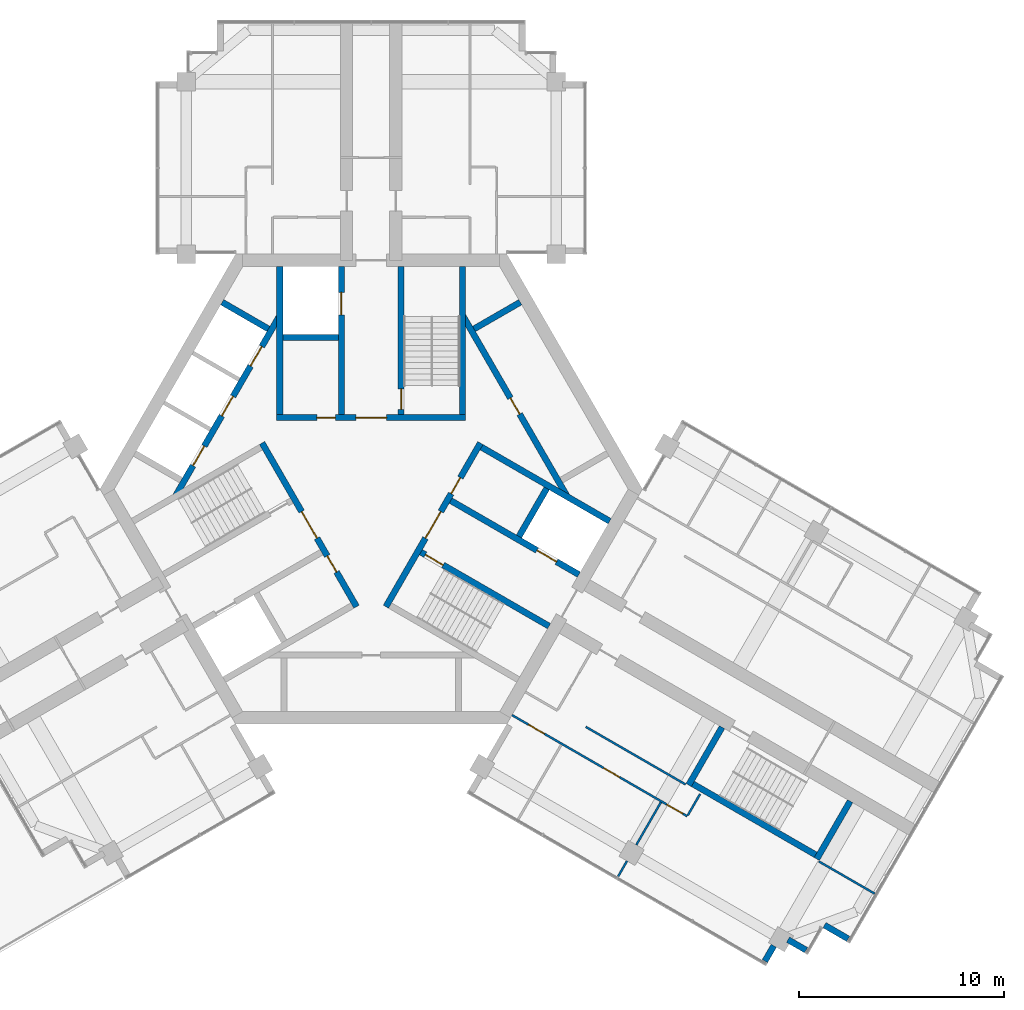
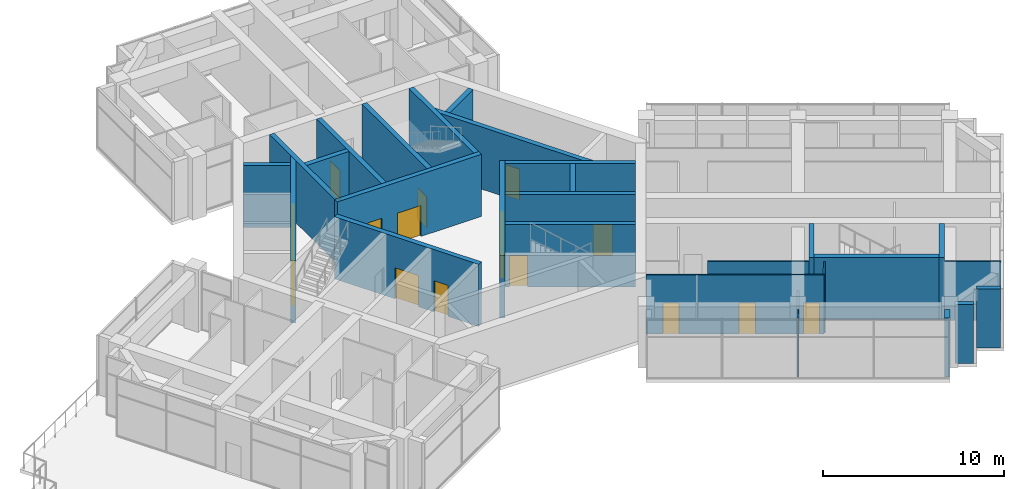
# One storey, part 10 of 13: 28 walls, 17 doors, 17 openings.
"""IFC4 building model written with IfcOpenShell, lengths in metres."""

from ifc_helpers import new_model, si_unit, direction, frame, frame_2d, origin, place, context, subcontext, project, spatial, rectangle, extrude, material, layer, layer_set, type_object, element, fill, save


model = new_model("IFC4")

# Units and contexts
model_context = context("Model", 3, precision=1e-05, world=origin(), true_north=direction((0.0, 1.0)))
body_context = subcontext(model_context, "Body", "Model", "MODEL_VIEW")
ifc_project = project(units=[si_unit("LENGTHUNIT", "METRE"), si_unit("AREAUNIT", "SQUARE_METRE"), si_unit("VOLUMEUNIT", "CUBIC_METRE"), si_unit("PLANEANGLEUNIT", "RADIAN"), si_unit("MASSUNIT", "GRAM", prefix="KILO")], contexts=[model_context])

# Site, building, storey
site_placement = place(None, origin())
site = spatial("IfcSite", under=ifc_project, at=site_placement, CompositionType="ELEMENT")
building_placement = place(site_placement, origin())
building = spatial("IfcBuilding", under=site, at=building_placement, Name="Impinga Residences", CompositionType="ELEMENT")
storey_placement = place(building_placement, frame((0.0, 0.0, 283.14990234375)))
storey = spatial("IfcBuildingStorey", under=building, at=storey_placement, Name="L71", CompositionType="ELEMENT", Elevation=283.14990234375)

# Walls
ifc_material_1 = material(Name="Stone facing on blockwork", Category="masonry")
ifc_layer_1 = layer(ifc_material_1, 0.300048828125)
ifc_layer_set_1 = layer_set([ifc_layer_1], Name="EW2 external wall, stone facing on blockwork 300")
wall_type_1 = type_object("IfcWallType", Name="EW2 external wall, stone facing on blockwork 300", PredefinedType="SOLIDWALL", material=ifc_layer_set_1)
wall_1_placement = place(storey_placement, frame((23.212158203125, -21.888671875, 0.0), z_axis=(0.0, 0.0, 1.0), x_axis=(-0.866020521143, 0.500008456887, 0.0)))
element("IfcWall", 1, at=wall_1_placement, inside=storey, type_object=wall_type_1, Name="External wall EW2 L71", PredefinedType="SOLIDWALL", context=body_context, shape_type="SweptSolid", body=[
    extrude(rectangle(XDim=1.330078125, YDim=0.300048828125, at=frame_2d((0.6650390625, 0.0))), origin(), (0.0, 0.0, 1.0), 3.97998046875),
])
wall_2_placement = place(storey_placement, frame((21.1630859375, -22.4375, 0.0), z_axis=(0.0, 0.0, 1.0), x_axis=(-0.866133525259, 0.499812681335, 0.0)))
element("IfcWall", 2, at=wall_2_placement, inside=storey, type_object=wall_type_1, Name="External wall EW2 L71", PredefinedType="SOLIDWALL", context=body_context, shape_type="SweptSolid", body=[
    extrude(rectangle(XDim=1.01513671875, YDim=0.300048828125, at=frame_2d((0.507568359375, 0.0))), origin(), (0.0, 0.0, 1.0), 3.97998046875),
])
wall_3_placement = place(storey_placement, frame((19.5927734375, -22.227294921875, 0.0), z_axis=(0.0, 0.0, 1.0), x_axis=(-0.499885902046, -0.866091268248, 0.0)))
element("IfcWall", 3, at=wall_3_placement, inside=storey, type_object=wall_type_1, Name="External wall EW2 L71", PredefinedType="SOLIDWALL", context=body_context, shape_type="SweptSolid", body=[
    extrude(rectangle(XDim=0.862060546875, YDim=0.300048828125, at=frame_2d((0.43115234375, 0.0))), origin(), (0.0, 0.0, 1.0), 3.97998046875),
])
ifc_material_2 = material(Name="Gypsum board on steel studs", Category="steel")
ifc_layer_2 = layer(ifc_material_2, 0.10009765625)
ifc_layer_set_2 = layer_set([ifc_layer_2], Name="Gypsum board on steel studs")
wall_type_2 = type_object("IfcWallType", Name="IP1 partition 100", PredefinedType="PARTITIONING", material=ifc_layer_set_2)
wall_4_placement = place(storey_placement, frame((10.444580078125, -11.57275390625, 0.0), z_axis=(0.0, 0.0, 1.0), x_axis=(0.866015695474, -0.500016814911, 0.0)))
element("IfcWall", 4, at=wall_4_placement, inside=storey, type_object=wall_type_2, Name="Partition L71-EF1:DIV1", PredefinedType="PARTITIONING", context=body_context, shape_type="SweptSolid", body=[
    extrude(rectangle(XDim=5.599853515625, YDim=0.10009765625, at=frame_2d((2.7998046875, 0.0))), origin(), (0.0, 0.0, 1.0), 3.97998046875),
])
wall_5_placement = place(storey_placement, frame((21.789306640625, -18.122802734375, 0.0), z_axis=(0.0, 0.0, 1.0), x_axis=(0.8660508054, -0.499956000529, 0.0)))
element("IfcWall", 5, at=wall_5_placement, inside=storey, type_object=wall_type_2, Name="Partition L71-EF1:DIV2", PredefinedType="PARTITIONING", context=body_context, shape_type="SweptSolid", body=[
    extrude(rectangle(XDim=3.136962890625, YDim=0.10009765625, at=frame_2d((1.568359375, 0.0))), origin(), (0.0, 0.0, 1.0), 3.97998046875),
])

# Wall, openings, doors
wall_6_placement = place(storey_placement, frame((6.85009765625, -10.99853515625, 0.0), z_axis=(0.0, 0.0, 1.0), x_axis=(0.866021308241, -0.500007093622, 0.0)))
wall_6 = element("IfcWall", 6, at=wall_6_placement, inside=storey, type_object=wall_type_2, Name="Partition L71-EF1:STRIP", PredefinedType="PARTITIONING", context=body_context, shape_type="SweptSolid", body=[
    extrude(rectangle(XDim=9.849853515625, YDim=0.10009765625, at=frame_2d((4.9248046875, 0.0))), origin(), (0.0, 0.0, 1.0), 3.97998046875),
])
opening_1_placement = place(wall_6_placement, frame((0.925048828125, 0.0, 0.0)))
opening_1 = element("IfcOpeningElement", 7, at=opening_1_placement, cuts=wall_6, Name="Opening D2", PredefinedType="OPENING", context=body_context, shape_type="SweptSolid", body=[
    extrude(rectangle(XDim=0.89990234375, YDim=2.10009765625, at=frame_2d((0.449951171875, 1.050048828125))), frame((0.0, 0.06005859375, 0.0), z_axis=(0.0, -1.0, 0.0), x_axis=(1.0, 0.0, 0.0)), (0.0, 0.0, 1.0), 0.1201171875),
])
opening_2_placement = place(wall_6_placement, frame((5.14990234375, 0.0, 0.0)))
opening_2 = element("IfcOpeningElement", 8, at=opening_2_placement, cuts=wall_6, Name="Opening D2", PredefinedType="OPENING", context=body_context, shape_type="SweptSolid", body=[
    extrude(rectangle(XDim=0.89990234375, YDim=2.10009765625, at=frame_2d((0.449951171875, 1.050048828125))), frame((0.0, 0.06005859375, 0.0), z_axis=(0.0, -1.0, 0.0), x_axis=(1.0, 0.0, 0.0)), (0.0, 0.0, 1.0), 0.1201171875),
])
opening_3_placement = place(wall_6_placement, frame((8.699951171875, 0.0, 0.0)))
opening_3 = element("IfcOpeningElement", 9, at=opening_3_placement, cuts=wall_6, Name="Opening D2", PredefinedType="OPENING", context=body_context, shape_type="SweptSolid", body=[
    extrude(rectangle(XDim=0.89990234375, YDim=2.10009765625, at=frame_2d((0.449951171875, 1.050048828125))), frame((0.0, 0.06005859375, 0.0), z_axis=(0.0, -1.0, 0.0), x_axis=(1.0, 0.0, 0.0)), (0.0, 0.0, 1.0), 0.1201171875),
])
ifc_material_3 = material(Name="Timber door set", Category="wood")
door_type_1 = type_object("IfcDoorType", Name="D2 internal door 900x2100", OperationType="SINGLE_SWING_LEFT", PredefinedType="DOOR", material=ifc_material_3)
door_1_placement = place(opening_1_placement, origin())
door_1 = element("IfcDoor", 10, at=door_1_placement, inside=storey, type_object=door_type_1, Name="Apartment L71-EF1 room door", OperationType="SINGLE_SWING_LEFT", OverallHeight=2.10009765625, OverallWidth=0.89990234375, PredefinedType="DOOR", context=body_context, shape_type="SweptSolid", body=[
    extrude(rectangle(XDim=0.89990234375, YDim=2.10009765625, at=frame_2d((0.449951171875, 1.050048828125))), frame((0.0, 0.02490234375, 0.0), z_axis=(0.0, -1.0, 0.0), x_axis=(1.0, 0.0, 0.0)), (0.0, 0.0, 1.0), 0.050048828125),
])
fill(opening_1, door_1)
door_2_placement = place(opening_2_placement, origin())
door_2 = element("IfcDoor", 11, at=door_2_placement, inside=storey, type_object=door_type_1, Name="Apartment L71-EF1 room door", OperationType="SINGLE_SWING_RIGHT", OverallHeight=2.10009765625, OverallWidth=0.89990234375, PredefinedType="DOOR", context=body_context, shape_type="SweptSolid", body=[
    extrude(rectangle(XDim=0.89990234375, YDim=2.10009765625, at=frame_2d((0.449951171875, 1.050048828125))), frame((0.0, 0.02490234375, 0.0), z_axis=(0.0, -1.0, 0.0), x_axis=(1.0, 0.0, 0.0)), (0.0, 0.0, 1.0), 0.050048828125),
])
fill(opening_2, door_2)
door_3_placement = place(opening_3_placement, origin())
door_3 = element("IfcDoor", 12, at=door_3_placement, inside=storey, type_object=door_type_1, Name="Apartment L71-EF1 room door", OperationType="SINGLE_SWING_RIGHT", OverallHeight=2.10009765625, OverallWidth=0.89990234375, PredefinedType="DOOR", context=body_context, shape_type="SweptSolid", body=[
    extrude(rectangle(XDim=0.89990234375, YDim=2.10009765625, at=frame_2d((0.449951171875, 1.050048828125))), frame((0.0, 0.02490234375, 0.0), z_axis=(0.0, -1.0, 0.0), x_axis=(1.0, 0.0, 0.0)), (0.0, 0.0, 1.0), 0.050048828125),
])
fill(opening_3, door_3)

# Walls
wall_7_placement = place(storey_placement, frame((16.00537109375, -14.841064453125, 0.0), z_axis=(0.0, 0.0, 1.0), x_axis=(-0.50012165622, -0.865955154139, 0.0)))
element("IfcWall", 13, at=wall_7_placement, inside=storey, type_object=wall_type_2, Name="Partition L71-EF1:SE1", PredefinedType="PARTITIONING", context=body_context, shape_type="SweptSolid", body=[
    extrude(rectangle(XDim=1.199951171875, YDim=0.10009765625, at=frame_2d((0.60009765625, 0.0))), origin(), (0.0, 0.0, 1.0), 3.97998046875),
])
wall_8_placement = place(storey_placement, frame((14.099609375, -15.241943359375, 0.0), z_axis=(0.0, 0.0, 1.0), x_axis=(-0.500001309137, -0.866024647952, 0.0)))
element("IfcWall", 14, at=wall_8_placement, inside=storey, type_object=wall_type_2, Name="Partition L71-EF1:OB2", PredefinedType="PARTITIONING", context=body_context, shape_type="SweptSolid", body=[
    extrude(rectangle(XDim=2.39990234375, YDim=0.10009765625, at=frame_2d((1.199951171875, 0.0))), origin(), (0.0, 0.0, 1.0), 2.93017578125),
])
wall_9_placement = place(storey_placement, frame((12.44970703125, -18.099609375, 0.0), z_axis=(0.0, 0.0, 1.0), x_axis=(-0.500014901547, -0.866016800201, 0.0)))
element("IfcWall", 15, at=wall_9_placement, inside=storey, type_object=wall_type_2, Name="Partition L71-EF1:OB2b", PredefinedType="PARTITIONING", context=body_context, shape_type="SweptSolid", body=[
    extrude(rectangle(XDim=0.8671875, YDim=0.10009765625, at=frame_2d((0.43359375, 0.0))), origin(), (0.0, 0.0, 1.0), 3.97998046875),
])
ifc_material_4 = material(Name="Concrete C60/75", Category="concrete")
ifc_layer_3 = layer(ifc_material_4, 0.300048828125)
ifc_layer_set_3 = layer_set([ifc_layer_3], Name="Concrete C60/75")
wall_type_3 = type_object("IfcWallType", Name="SE1 wing stair enclosure wall 300", PredefinedType="SOLIDWALL", material=ifc_layer_set_3)
for number, where, z_axis, x_axis, name in (
    (16, (17.07421875, -11.58984375, 0.0), (0.0, 0.0, 1.0), (-0.500017246033, -0.866015446554, 0.0), "Stair enclosure wall SE1 E END0 L71"),
    (17, (23.3095703125, -15.189697265625, 0.0), (0.0, 0.0, 1.0), (-0.499984717929, -0.866034226713, 0.0), "Stair enclosure wall SE1 E END1 L71"),
):
    element("IfcWall", number, at=place(storey_placement, frame(where, z_axis=z_axis, x_axis=x_axis)), inside=storey, type_object=wall_type_3, Name=name, PredefinedType="SOLIDWALL", context=body_context, shape_type="SweptSolid", body=[
        extrude(rectangle(XDim=3.25, YDim=0.300048828125, at=frame_2d((1.625, 0.0))), origin(), (0.0, 0.0, 1.0), 4.2001953125),
    ])
wall_10_placement = place(storey_placement, frame((15.654052734375, -14.349365234375, 0.0), z_axis=(0.0, 0.0, 1.0), x_axis=(0.866013532718, -0.500020560727, 0.0)))
element("IfcWall", 18, at=wall_10_placement, inside=storey, type_object=wall_type_3, Name="Stair enclosure wall SE1 E OUT L71", PredefinedType="SOLIDWALL", context=body_context, shape_type="SweptSolid", body=[
    extrude(rectangle(XDim=6.900146484375, YDim=0.300048828125, at=frame_2d((3.4501953125, 0.0))), origin(), (0.0, 0.0, 1.0), 4.2001953125),
])

# Wall, openings, doors
ifc_material_5 = material(Name="Concrete C70/85", Category="concrete")
ifc_layer_4 = layer(ifc_material_5, 0.300048828125)
ifc_layer_set_4 = layer_set([ifc_layer_4], Name="Concrete C70/85")
wall_type_4 = type_object("IfcWallType", Name="SW5 core inner wall, stairs, shafts and lobbies 300", PredefinedType="SHEAR", material=ifc_layer_set_4)
wall_11_placement = place(storey_placement, frame((-4.60009765625, 3.47998046875, 0.0), z_axis=(0.0, 0.0, 1.0), x_axis=(1.0, 0.0, 0.0)))
wall_11 = element("IfcWall", 19, at=wall_11_placement, inside=storey, type_object=wall_type_4, Name="Core wall SW5 N:ZONE L71", PredefinedType="SHEAR", context=body_context, shape_type="SweptSolid", body=[
    extrude(rectangle(XDim=9.2001953125, YDim=0.300048828125, at=frame_2d((4.60009765625, 0.0))), origin(), (0.0, 0.0, 1.0), 4.2001953125),
])
opening_4_placement = place(wall_11_placement, frame((3.85009765625, 0.0, 0.0)))
opening_4 = element("IfcOpeningElement", 20, at=opening_4_placement, cuts=wall_11, Name="Opening D4", PredefinedType="OPENING", context=body_context, shape_type="SweptSolid", body=[
    extrude(rectangle(XDim=1.5, YDim=2.10009765625, at=frame_2d((0.75, 1.050048828125))), frame((0.0, 0.159912109375, 0.0), z_axis=(0.0, -1.0, 0.0), x_axis=(1.0, 0.0, 0.0)), (0.0, 0.0, 1.0), 0.320068359375),
])
opening_5_placement = place(wall_11_placement, frame((1.949951171875, 0.0, 0.0)))
opening_5 = element("IfcOpeningElement", 21, at=opening_5_placement, cuts=wall_11, Name="Opening D6", PredefinedType="OPENING", context=body_context, shape_type="SweptSolid", body=[
    extrude(rectangle(XDim=0.89990234375, YDim=2.10009765625, at=frame_2d((0.449951171875, 1.050048828125))), frame((0.0, 0.159912109375, 0.0), z_axis=(0.0, -1.0, 0.0), x_axis=(1.0, 0.0, 0.0)), (0.0, 0.0, 1.0), 0.320068359375),
])
door_type_2 = type_object("IfcDoorType", Name="D4 lobby door pair 1500x2100", OperationType="DOUBLE_DOOR_DOUBLE_SWING", PredefinedType="DOOR", material=ifc_material_3)
door_4_placement = place(opening_4_placement, origin())
door_4 = element("IfcDoor", 22, at=door_4_placement, inside=storey, type_object=door_type_2, Name="Firefighting lobby door N", OperationType="DOUBLE_DOOR_DOUBLE_SWING", OverallHeight=2.10009765625, OverallWidth=1.5, PredefinedType="DOOR", context=body_context, shape_type="SweptSolid", body=[
    extrude(rectangle(XDim=1.5, YDim=2.10009765625, at=frame_2d((0.75, 1.050048828125))), frame((0.0, 0.02490234375, 0.0), z_axis=(0.0, -1.0, 0.0), x_axis=(1.0, 0.0, 0.0)), (0.0, 0.0, 1.0), 0.050048828125),
])
fill(opening_4, door_4)
door_type_3 = type_object("IfcDoorType", Name="D6 riser and store door 900x2100", OperationType="SINGLE_SWING_LEFT", PredefinedType="DOOR", material=ifc_material_3)
door_5_placement = place(opening_5_placement, origin())
door_5 = element("IfcDoor", 23, at=door_5_placement, inside=storey, type_object=door_type_3, Name="Riser door N", OperationType="SINGLE_SWING_LEFT", OverallHeight=2.10009765625, OverallWidth=0.89990234375, PredefinedType="DOOR", context=body_context, shape_type="SweptSolid", body=[
    extrude(rectangle(XDim=0.89990234375, YDim=2.10009765625, at=frame_2d((0.449951171875, 1.050048828125))), frame((0.0, 0.02490234375, 0.0), z_axis=(0.0, -1.0, 0.0), x_axis=(1.0, 0.0, 0.0)), (0.0, 0.0, 1.0), 0.050048828125),
])
fill(opening_5, door_5)

# Wall, opening, door
wall_12_placement = place(storey_placement, frame((1.449951171875, 3.6298828125, 0.0), z_axis=(0.0, 0.0, 1.0), x_axis=(0.0, 1.0, 0.0)))
wall_12 = element("IfcWall", 24, at=wall_12_placement, inside=storey, type_object=wall_type_4, Name="Core wall SW5 N:ST-IN L71", PredefinedType="SHEAR", context=body_context, shape_type="SweptSolid", body=[
    extrude(rectangle(XDim=7.20166015625, YDim=0.300048828125, at=frame_2d((3.600830078125, 0.0))), origin(), (0.0, 0.0, 1.0), 4.2001953125),
])
opening_6_placement = place(wall_12_placement, frame((0.25, 0.0, 0.0)))
opening_6 = element("IfcOpeningElement", 25, at=opening_6_placement, cuts=wall_12, Name="Opening D5", PredefinedType="OPENING", context=body_context, shape_type="SweptSolid", body=[
    extrude(rectangle(XDim=1.0, YDim=2.10009765625, at=frame_2d((0.5, 1.050048828125))), frame((0.0, 0.159912109375, 0.0), z_axis=(0.0, -1.0, 0.0), x_axis=(1.0, 0.0, 0.0)), (0.0, 0.0, 1.0), 0.320068359375),
])
door_type_4 = type_object("IfcDoorType", Name="D5 stair door 1000x2100", OperationType="SINGLE_SWING_LEFT", PredefinedType="DOOR", material=ifc_material_3)
door_6_placement = place(opening_6_placement, origin())
door_6 = element("IfcDoor", 26, at=door_6_placement, inside=storey, type_object=door_type_4, Name="Stair door N", OperationType="SINGLE_SWING_LEFT", OverallHeight=2.10009765625, OverallWidth=1.0, PredefinedType="DOOR", context=body_context, shape_type="SweptSolid", body=[
    extrude(rectangle(XDim=1.0, YDim=2.10009765625, at=frame_2d((0.5, 1.050048828125))), frame((0.0, 0.02490234375, 0.0), z_axis=(0.0, -1.0, 0.0), x_axis=(1.0, 0.0, 0.0)), (0.0, 0.0, 1.0), 0.050048828125),
])
fill(opening_6, door_6)

# Wall
wall_13_placement = place(storey_placement, frame((4.449951171875, 3.6298828125, 0.0), z_axis=(0.0, 0.0, 1.0), x_axis=(0.0, 1.0, 0.0)))
element("IfcWall", 27, at=wall_13_placement, inside=storey, type_object=wall_type_4, Name="Core wall SW5 N:ST-OUT L71", PredefinedType="SHEAR", context=body_context, shape_type="SweptSolid", body=[
    extrude(rectangle(XDim=7.20166015625, YDim=0.300048828125, at=frame_2d((3.600830078125, 0.0))), origin(), (0.0, 0.0, 1.0), 4.2001953125),
])

# Wall, opening, door
wall_14_placement = place(storey_placement, frame((-1.449951171875, 3.6298828125, 0.0), z_axis=(0.0, 0.0, 1.0), x_axis=(0.0, 1.0, 0.0)))
wall_14 = element("IfcWall", 28, at=wall_14_placement, inside=storey, type_object=wall_type_4, Name="Core wall SW5 N:FF-IN L71", PredefinedType="SHEAR", context=body_context, shape_type="SweptSolid", body=[
    extrude(rectangle(XDim=7.20166015625, YDim=0.300048828125, at=frame_2d((3.600830078125, 0.0))), origin(), (0.0, 0.0, 1.0), 4.2001953125),
])
opening_7_placement = place(wall_14_placement, frame((4.85009765625, 0.0, 0.0)))
opening_7 = element("IfcOpeningElement", 29, at=opening_7_placement, cuts=wall_14, Name="Opening LD2", PredefinedType="OPENING", context=body_context, shape_type="SweptSolid", body=[
    extrude(rectangle(XDim=1.10009765625, YDim=2.10009765625, at=frame_2d((0.550048828125, 1.050048828125))), frame((0.0, 0.159912109375, 0.0), z_axis=(0.0, -1.0, 0.0), x_axis=(1.0, 0.0, 0.0)), (0.0, 0.0, 1.0), 0.320068359375),
])
ifc_material_6 = material(Name="Steel lift landing door", Category="steel")
door_type_5 = type_object("IfcDoorType", Name="LD2 firefighting lift landing door 1100x2100", OperationType="DOUBLE_DOOR_SLIDING", PredefinedType="DOOR", material=ifc_material_6)
door_7_placement = place(opening_7_placement, origin())
door_7 = element("IfcDoor", 30, at=door_7_placement, inside=storey, type_object=door_type_5, Name="Firefighting lift landing door F1", OperationType="DOUBLE_DOOR_SLIDING", OverallHeight=2.10009765625, OverallWidth=1.10009765625, PredefinedType="DOOR", context=body_context, shape_type="SweptSolid", body=[
    extrude(rectangle(XDim=1.10009765625, YDim=2.10009765625, at=frame_2d((0.550048828125, 1.050048828125))), frame((0.0, 0.02490234375, 0.0), z_axis=(0.0, -1.0, 0.0), x_axis=(1.0, 0.0, 0.0)), (0.0, 0.0, 1.0), 0.050048828125),
])
fill(opening_7, door_7)

# Walls
wall_15_placement = place(storey_placement, frame((-4.449951171875, 3.6298828125, 0.0), z_axis=(0.0, 0.0, 1.0), x_axis=(0.0, 1.0, 0.0)))
element("IfcWall", 31, at=wall_15_placement, inside=storey, type_object=wall_type_4, Name="Core wall SW5 N:FF-OUT L71", PredefinedType="SHEAR", context=body_context, shape_type="SweptSolid", body=[
    extrude(rectangle(XDim=7.20166015625, YDim=0.300048828125, at=frame_2d((3.600830078125, 0.0))), origin(), (0.0, 0.0, 1.0), 4.2001953125),
])
wall_16_placement = place(storey_placement, frame((-4.300048828125, 7.3798828125, 0.0), z_axis=(0.0, 0.0, 1.0), x_axis=(1.0, 0.0, 0.0)))
element("IfcWall", 32, at=wall_16_placement, inside=storey, type_object=wall_type_4, Name="Core wall SW5 N:FF-RS L71", PredefinedType="SHEAR", context=body_context, shape_type="SweptSolid", body=[
    extrude(rectangle(XDim=2.699951171875, YDim=0.300048828125, at=frame_2d((1.35009765625, 0.0))), origin(), (0.0, 0.0, 1.0), 4.2001953125),
])

# Wall, openings, doors
wall_17_placement = place(storey_placement, frame((-0.7138671875, -5.7236328125, 0.0), z_axis=(0.0, 0.0, 1.0), x_axis=(-0.499995050369, 0.866028261437, 0.0)))
wall_17 = element("IfcWall", 33, at=wall_17_placement, inside=storey, type_object=wall_type_4, Name="Core wall SW5 W:ZONE L71", PredefinedType="SHEAR", context=body_context, shape_type="SweptSolid", body=[
    extrude(rectangle(XDim=9.19970703125, YDim=0.300048828125, at=frame_2d((4.599853515625, 0.0))), origin(), (0.0, 0.0, 1.0), 4.2001953125),
])
opening_8_placement = place(wall_17_placement, frame((3.85009765625, 0.0, 0.0)))
opening_8 = element("IfcOpeningElement", 34, at=opening_8_placement, cuts=wall_17, Name="Opening D4", PredefinedType="OPENING", context=body_context, shape_type="SweptSolid", body=[
    extrude(rectangle(XDim=1.5, YDim=2.10009765625, at=frame_2d((0.75, 1.050048828125))), frame((0.0, 0.159912109375, 0.0), z_axis=(0.0, -1.0, 0.0), x_axis=(1.0, 0.0, 0.0)), (0.0, 0.0, 1.0), 0.320068359375),
])
opening_9_placement = place(wall_17_placement, frame((1.949951171875, 0.0, 0.0)))
opening_9 = element("IfcOpeningElement", 35, at=opening_9_placement, cuts=wall_17, Name="Opening D6", PredefinedType="OPENING", context=body_context, shape_type="SweptSolid", body=[
    extrude(rectangle(XDim=0.89990234375, YDim=2.10009765625, at=frame_2d((0.449951171875, 1.050048828125))), frame((0.0, 0.159912109375, 0.0), z_axis=(0.0, -1.0, 0.0), x_axis=(1.0, 0.0, 0.0)), (0.0, 0.0, 1.0), 0.320068359375),
])
door_8_placement = place(opening_8_placement, origin())
door_8 = element("IfcDoor", 36, at=door_8_placement, inside=storey, type_object=door_type_2, Name="Firefighting lobby door W", OperationType="DOUBLE_DOOR_DOUBLE_SWING", OverallHeight=2.10009765625, OverallWidth=1.5, PredefinedType="DOOR", context=body_context, shape_type="SweptSolid", body=[
    extrude(rectangle(XDim=1.5, YDim=2.10009765625, at=frame_2d((0.75, 1.050048828125))), frame((0.0, 0.02490234375, 0.0), z_axis=(0.0, -1.0, 0.0), x_axis=(1.0, 0.0, 0.0)), (0.0, 0.0, 1.0), 0.050048828125),
])
fill(opening_8, door_8)
door_9_placement = place(opening_9_placement, origin())
door_9 = element("IfcDoor", 37, at=door_9_placement, inside=storey, type_object=door_type_3, Name="Riser door W", OperationType="SINGLE_SWING_LEFT", OverallHeight=2.10009765625, OverallWidth=0.89990234375, PredefinedType="DOOR", context=body_context, shape_type="SweptSolid", body=[
    extrude(rectangle(XDim=0.89990234375, YDim=2.10009765625, at=frame_2d((0.449951171875, 1.050048828125))), frame((0.0, 0.02490234375, 0.0), z_axis=(0.0, -1.0, 0.0), x_axis=(1.0, 0.0, 0.0)), (0.0, 0.0, 1.0), 0.050048828125),
])
fill(opening_9, door_9)

wall_18_placement = place(storey_placement, frame((5.313720703125, 2.24365234375, 0.0), z_axis=(0.0, 0.0, 1.0), x_axis=(-0.499995050369, -0.866028261437, 0.0)))
wall_18 = element("IfcWall", 38, at=wall_18_placement, inside=storey, type_object=wall_type_4, Name="Core wall SW5 E:ZONE L71", PredefinedType="SHEAR", context=body_context, shape_type="SweptSolid", body=[
    extrude(rectangle(XDim=9.19970703125, YDim=0.300048828125, at=frame_2d((4.599853515625, 0.0))), origin(), (0.0, 0.0, 1.0), 4.2001953125),
])
opening_10_placement = place(wall_18_placement, frame((3.85009765625, 0.0, 0.0)))
opening_10 = element("IfcOpeningElement", 39, at=opening_10_placement, cuts=wall_18, Name="Opening D4", PredefinedType="OPENING", context=body_context, shape_type="SweptSolid", body=[
    extrude(rectangle(XDim=1.5, YDim=2.10009765625, at=frame_2d((0.75, 1.050048828125))), frame((0.0, 0.159912109375, 0.0), z_axis=(0.0, -1.0, 0.0), x_axis=(1.0, 0.0, 0.0)), (0.0, 0.0, 1.0), 0.320068359375),
])
opening_11_placement = place(wall_18_placement, frame((1.949951171875, 0.0, 0.0)))
opening_11 = element("IfcOpeningElement", 40, at=opening_11_placement, cuts=wall_18, Name="Opening D6", PredefinedType="OPENING", context=body_context, shape_type="SweptSolid", body=[
    extrude(rectangle(XDim=0.89990234375, YDim=2.10009765625, at=frame_2d((0.449951171875, 1.050048828125))), frame((0.0, 0.159912109375, 0.0), z_axis=(0.0, -1.0, 0.0), x_axis=(1.0, 0.0, 0.0)), (0.0, 0.0, 1.0), 0.320068359375),
])
door_10_placement = place(opening_10_placement, origin())
door_10 = element("IfcDoor", 41, at=door_10_placement, inside=storey, type_object=door_type_2, Name="Firefighting lobby door E", OperationType="DOUBLE_DOOR_DOUBLE_SWING", OverallHeight=2.10009765625, OverallWidth=1.5, PredefinedType="DOOR", context=body_context, shape_type="SweptSolid", body=[
    extrude(rectangle(XDim=1.5, YDim=2.10009765625, at=frame_2d((0.75, 1.050048828125))), frame((0.0, 0.02490234375, 0.0), z_axis=(0.0, -1.0, 0.0), x_axis=(1.0, 0.0, 0.0)), (0.0, 0.0, 1.0), 0.050048828125),
])
fill(opening_10, door_10)
door_11_placement = place(opening_11_placement, origin())
door_11 = element("IfcDoor", 42, at=door_11_placement, inside=storey, type_object=door_type_3, Name="Riser door E", OperationType="SINGLE_SWING_LEFT", OverallHeight=2.10009765625, OverallWidth=0.89990234375, PredefinedType="DOOR", context=body_context, shape_type="SweptSolid", body=[
    extrude(rectangle(XDim=0.89990234375, YDim=2.10009765625, at=frame_2d((0.449951171875, 1.050048828125))), frame((0.0, 0.02490234375, 0.0), z_axis=(0.0, -1.0, 0.0), x_axis=(1.0, 0.0, 0.0)), (0.0, 0.0, 1.0), 0.050048828125),
])
fill(opening_11, door_11)

# Wall, opening, door
wall_19_placement = place(storey_placement, frame((2.418701171875, -3.07080078125, 0.0), z_axis=(0.0, 0.0, 1.0), x_axis=(0.86603146111, -0.499989508258, 0.0)))
wall_19 = element("IfcWall", 43, at=wall_19_placement, inside=storey, type_object=wall_type_4, Name="Core wall SW5 E:ST-IN L71", PredefinedType="SHEAR", context=body_context, shape_type="SweptSolid", body=[
    extrude(rectangle(XDim=7.201416015625, YDim=0.300048828125, at=frame_2d((3.6005859375, 0.0))), origin(), (0.0, 0.0, 1.0), 4.2001953125),
])
opening_12_placement = place(wall_19_placement, frame((0.25, 0.0, 0.0)))
opening_12 = element("IfcOpeningElement", 44, at=opening_12_placement, cuts=wall_19, Name="Opening D5", PredefinedType="OPENING", context=body_context, shape_type="SweptSolid", body=[
    extrude(rectangle(XDim=1.0, YDim=2.10009765625, at=frame_2d((0.5, 1.050048828125))), frame((0.0, 0.159912109375, 0.0), z_axis=(0.0, -1.0, 0.0), x_axis=(1.0, 0.0, 0.0)), (0.0, 0.0, 1.0), 0.320068359375),
])
door_12_placement = place(opening_12_placement, origin())
door_12 = element("IfcDoor", 45, at=door_12_placement, inside=storey, type_object=door_type_4, Name="Stair door E", OperationType="SINGLE_SWING_LEFT", OverallHeight=2.10009765625, OverallWidth=1.0, PredefinedType="DOOR", context=body_context, shape_type="SweptSolid", body=[
    extrude(rectangle(XDim=1.0, YDim=2.10009765625, at=frame_2d((0.5, 1.050048828125))), frame((0.0, 0.02490234375, 0.0), z_axis=(0.0, -1.0, 0.0), x_axis=(1.0, 0.0, 0.0)), (0.0, 0.0, 1.0), 0.050048828125),
])
fill(opening_12, door_12)

wall_20_placement = place(storey_placement, frame((3.86865234375, -0.559326171875, 0.0), z_axis=(0.0, 0.0, 1.0), x_axis=(0.866039935929, -0.499974828743, 0.0)))
wall_20 = element("IfcWall", 46, at=wall_20_placement, inside=storey, type_object=wall_type_4, Name="Core wall SW5 E:FF-IN L71", PredefinedType="SHEAR", context=body_context, shape_type="SweptSolid", body=[
    extrude(rectangle(XDim=7.201416015625, YDim=0.300048828125, at=frame_2d((3.6005859375, 0.0))), origin(), (0.0, 0.0, 1.0), 4.2001953125),
])
opening_13_placement = place(wall_20_placement, frame((4.85009765625, 0.0, 0.0)))
opening_13 = element("IfcOpeningElement", 47, at=opening_13_placement, cuts=wall_20, Name="Opening LD2", PredefinedType="OPENING", context=body_context, shape_type="SweptSolid", body=[
    extrude(rectangle(XDim=1.10009765625, YDim=2.10009765625, at=frame_2d((0.550048828125, 1.050048828125))), frame((0.0, 0.159912109375, 0.0), z_axis=(0.0, -1.0, 0.0), x_axis=(1.0, 0.0, 0.0)), (0.0, 0.0, 1.0), 0.320068359375),
])
door_13_placement = place(opening_13_placement, origin())
door_13 = element("IfcDoor", 48, at=door_13_placement, inside=storey, type_object=door_type_5, Name="Firefighting lift landing door F3", OperationType="DOUBLE_DOOR_SLIDING", OverallHeight=2.10009765625, OverallWidth=1.10009765625, PredefinedType="DOOR", context=body_context, shape_type="SweptSolid", body=[
    extrude(rectangle(XDim=1.10009765625, YDim=2.10009765625, at=frame_2d((0.550048828125, 1.050048828125))), frame((0.0, 0.02490234375, 0.0), z_axis=(0.0, -1.0, 0.0), x_axis=(1.0, 0.0, 0.0)), (0.0, 0.0, 1.0), 0.050048828125),
])
fill(opening_13, door_13)

# Walls
wall_21_placement = place(storey_placement, frame((5.36865234375, 2.038818359375, 0.0), z_axis=(0.0, 0.0, 1.0), x_axis=(0.866025256649, -0.500000254847, 0.0)))
element("IfcWall", 49, at=wall_21_placement, inside=storey, type_object=wall_type_4, Name="Core wall SW5 E:FF-OUT L71", PredefinedType="SHEAR", context=body_context, shape_type="SweptSolid", body=[
    extrude(rectangle(XDim=7.20166015625, YDim=0.300048828125, at=frame_2d((3.600830078125, 0.0))), origin(), (0.0, 0.0, 1.0), 4.2001953125),
])
wall_22_placement = place(storey_placement, frame((8.541259765625, 0.033935546875, 0.0), z_axis=(0.0, 0.0, 1.0), x_axis=(-0.50000943426, -0.866019956843, 0.0)))
element("IfcWall", 50, at=wall_22_placement, inside=storey, type_object=wall_type_4, Name="Core wall SW5 E:FF-RS L71", PredefinedType="SHEAR", context=body_context, shape_type="SweptSolid", body=[
    extrude(rectangle(XDim=2.7001953125, YDim=0.300048828125, at=frame_2d((1.35009765625, 0.0))), origin(), (0.0, 0.0, 1.0), 4.2001953125),
])

# Wall, opening, door
wall_23_placement = place(storey_placement, frame((4.449951171875, 8.455322265625, 0.0), z_axis=(0.0, 0.0, 1.0), x_axis=(0.500002290144, -0.866024081565, 0.0)))
wall_23 = element("IfcWall", 51, at=wall_23_placement, inside=storey, type_object=wall_type_4, Name="Core wall SW5 W:BANK-FRONT L71", PredefinedType="SHEAR", context=body_context, shape_type="SweptSolid", body=[
    extrude(rectangle(XDim=10.1953125, YDim=0.300048828125, at=frame_2d((5.09765625, 0.0))), origin(), (0.0, 0.0, 1.0), 4.2001953125),
])
opening_14_placement = place(wall_23_placement, frame((4.647705078125, 0.0, 0.0)))
opening_14 = element("IfcOpeningElement", 52, at=opening_14_placement, cuts=wall_23, Name="Opening D6", PredefinedType="OPENING", context=body_context, shape_type="SweptSolid", body=[
    extrude(rectangle(XDim=0.89990234375, YDim=2.10009765625, at=frame_2d((0.449951171875, 1.050048828125))), frame((0.0, 0.159912109375, 0.0), z_axis=(0.0, -1.0, 0.0), x_axis=(1.0, 0.0, 0.0)), (0.0, 0.0, 1.0), 0.320068359375),
])
door_14_placement = place(opening_14_placement, origin())
door_14 = element("IfcDoor", 53, at=door_14_placement, inside=storey, type_object=door_type_3, Name="IT and communications room door", OperationType="SINGLE_SWING_RIGHT", OverallHeight=2.10009765625, OverallWidth=0.89990234375, PredefinedType="DOOR", context=body_context, shape_type="SweptSolid", body=[
    extrude(rectangle(XDim=0.89990234375, YDim=2.10009765625, at=frame_2d((0.449951171875, 1.050048828125))), frame((0.0, 0.02490234375, 0.0), z_axis=(0.0, -1.0, 0.0), x_axis=(1.0, 0.0, 0.0)), (0.0, 0.0, 1.0), 0.050048828125),
])
fill(opening_14, door_14)

# Wall
wall_24_placement = place(storey_placement, frame((5.003662109375, 7.79638671875, 0.0), z_axis=(0.0, 0.0, 1.0), x_axis=(0.866021400173, 0.500006934395, 0.0)))
element("IfcWall", 54, at=wall_24_placement, inside=storey, type_object=wall_type_4, Name="Core wall SW5 W:BANK-L L71", PredefinedType="SHEAR", context=body_context, shape_type="SweptSolid", body=[
    extrude(rectangle(XDim=2.60009765625, YDim=0.300048828125, at=frame_2d((1.300048828125, 0.0))), origin(), (0.0, 0.0, 1.0), 4.2001953125),
])

# Wall, openings, doors
wall_25_placement = place(storey_placement, frame((-9.547607421875, -0.3740234375, 0.0), z_axis=(0.0, 0.0, 1.0), x_axis=(0.500002290144, 0.866024081565, 0.0)))
wall_25 = element("IfcWall", 55, at=wall_25_placement, inside=storey, type_object=wall_type_4, Name="Core wall SW5 E:BANK-FRONT L71", PredefinedType="SHEAR", context=body_context, shape_type="SweptSolid", body=[
    extrude(rectangle(XDim=10.1953125, YDim=0.300048828125, at=frame_2d((5.09765625, 0.0))), origin(), (0.0, 0.0, 1.0), 4.2001953125),
])
opening_15_placement = place(wall_25_placement, frame((1.74755859375, 0.0, 0.0)))
opening_15 = element("IfcOpeningElement", 56, at=opening_15_placement, cuts=wall_25, Name="Opening LD1", PredefinedType="OPENING", context=body_context, shape_type="SweptSolid", body=[
    extrude(rectangle(XDim=1.10009765625, YDim=2.10009765625, at=frame_2d((0.550048828125, 1.050048828125))), frame((0.0, 0.159912109375, 0.0), z_axis=(0.0, -1.0, 0.0), x_axis=(1.0, 0.0, 0.0)), (0.0, 0.0, 1.0), 0.320068359375),
])
opening_16_placement = place(wall_25_placement, frame((4.547607421875, 0.0, 0.0)))
opening_16 = element("IfcOpeningElement", 57, at=opening_16_placement, cuts=wall_25, Name="Opening LD1", PredefinedType="OPENING", context=body_context, shape_type="SweptSolid", body=[
    extrude(rectangle(XDim=1.10009765625, YDim=2.10009765625, at=frame_2d((0.550048828125, 1.050048828125))), frame((0.0, 0.159912109375, 0.0), z_axis=(0.0, -1.0, 0.0), x_axis=(1.0, 0.0, 0.0)), (0.0, 0.0, 1.0), 0.320068359375),
])
opening_17_placement = place(wall_25_placement, frame((7.34765625, 0.0, 0.0)))
opening_17 = element("IfcOpeningElement", 58, at=opening_17_placement, cuts=wall_25, Name="Opening LD1", PredefinedType="OPENING", context=body_context, shape_type="SweptSolid", body=[
    extrude(rectangle(XDim=1.10009765625, YDim=2.10009765625, at=frame_2d((0.550048828125, 1.050048828125))), frame((0.0, 0.159912109375, 0.0), z_axis=(0.0, -1.0, 0.0), x_axis=(1.0, 0.0, 0.0)), (0.0, 0.0, 1.0), 0.320068359375),
])
door_type_6 = type_object("IfcDoorType", Name="LD1 passenger lift landing door 1100x2100", OperationType="DOUBLE_DOOR_SLIDING", PredefinedType="DOOR", material=ifc_material_6)
door_15_placement = place(opening_15_placement, origin())
door_15 = element("IfcDoor", 59, at=door_15_placement, inside=storey, type_object=door_type_6, Name="Lift landing door P7", OperationType="DOUBLE_DOOR_SLIDING", OverallHeight=2.10009765625, OverallWidth=1.10009765625, PredefinedType="DOOR", context=body_context, shape_type="SweptSolid", body=[
    extrude(rectangle(XDim=1.10009765625, YDim=2.10009765625, at=frame_2d((0.550048828125, 1.050048828125))), frame((0.0, 0.02490234375, 0.0), z_axis=(0.0, -1.0, 0.0), x_axis=(1.0, 0.0, 0.0)), (0.0, 0.0, 1.0), 0.050048828125),
])
fill(opening_15, door_15)
door_16_placement = place(opening_16_placement, origin())
door_16 = element("IfcDoor", 60, at=door_16_placement, inside=storey, type_object=door_type_6, Name="Lift landing door P8", OperationType="DOUBLE_DOOR_SLIDING", OverallHeight=2.10009765625, OverallWidth=1.10009765625, PredefinedType="DOOR", context=body_context, shape_type="SweptSolid", body=[
    extrude(rectangle(XDim=1.10009765625, YDim=2.10009765625, at=frame_2d((0.550048828125, 1.050048828125))), frame((0.0, 0.02490234375, 0.0), z_axis=(0.0, -1.0, 0.0), x_axis=(1.0, 0.0, 0.0)), (0.0, 0.0, 1.0), 0.050048828125),
])
fill(opening_16, door_16)
door_17_placement = place(opening_17_placement, origin())
door_17 = element("IfcDoor", 61, at=door_17_placement, inside=storey, type_object=door_type_6, Name="Lift landing door P9", OperationType="DOUBLE_DOOR_SLIDING", OverallHeight=2.10009765625, OverallWidth=1.10009765625, PredefinedType="DOOR", context=body_context, shape_type="SweptSolid", body=[
    extrude(rectangle(XDim=1.10009765625, YDim=2.10009765625, at=frame_2d((0.550048828125, 1.050048828125))), frame((0.0, 0.02490234375, 0.0), z_axis=(0.0, -1.0, 0.0), x_axis=(1.0, 0.0, 0.0)), (0.0, 0.0, 1.0), 0.050048828125),
])
fill(opening_17, door_17)

# Wall
wall_26_placement = place(storey_placement, frame((-5.003662109375, 7.79638671875, 0.0), z_axis=(0.0, 0.0, 1.0), x_axis=(-0.866021400173, 0.500006934395, 0.0)))
element("IfcWall", 62, at=wall_26_placement, inside=storey, type_object=wall_type_4, Name="Core wall SW5 E:BANK-R L71", PredefinedType="SHEAR", context=body_context, shape_type="SweptSolid", body=[
    extrude(rectangle(XDim=2.60009765625, YDim=0.300048828125, at=frame_2d((1.300048828125, 0.0))), origin(), (0.0, 0.0, 1.0), 4.2001953125),
])

save(model, "model.ifc")
